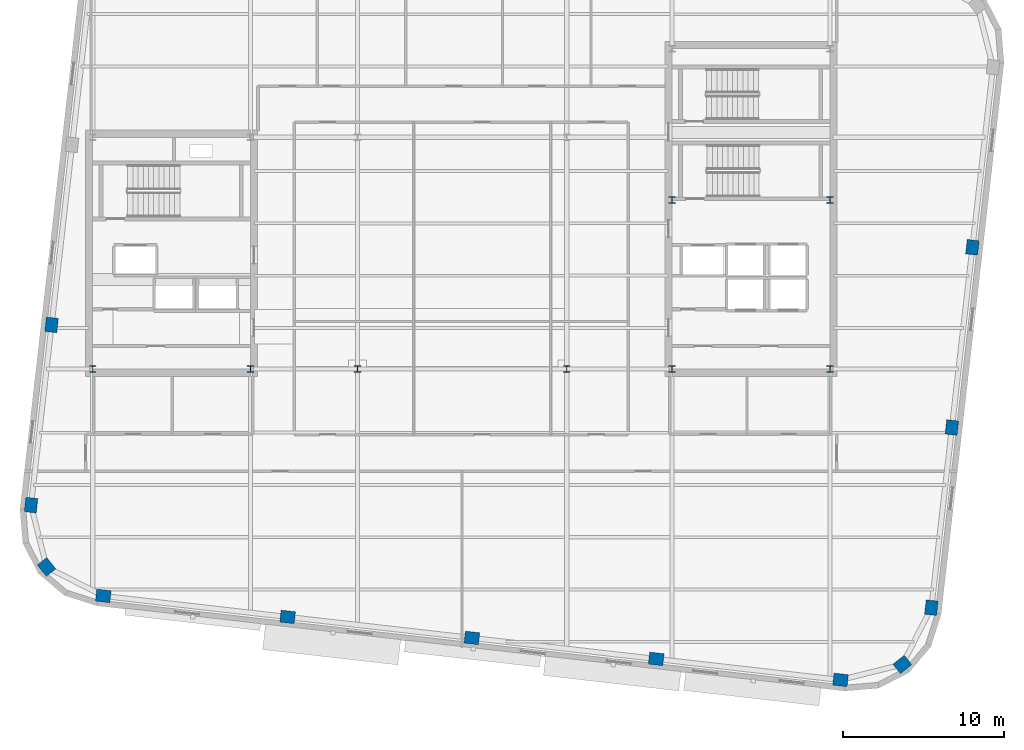
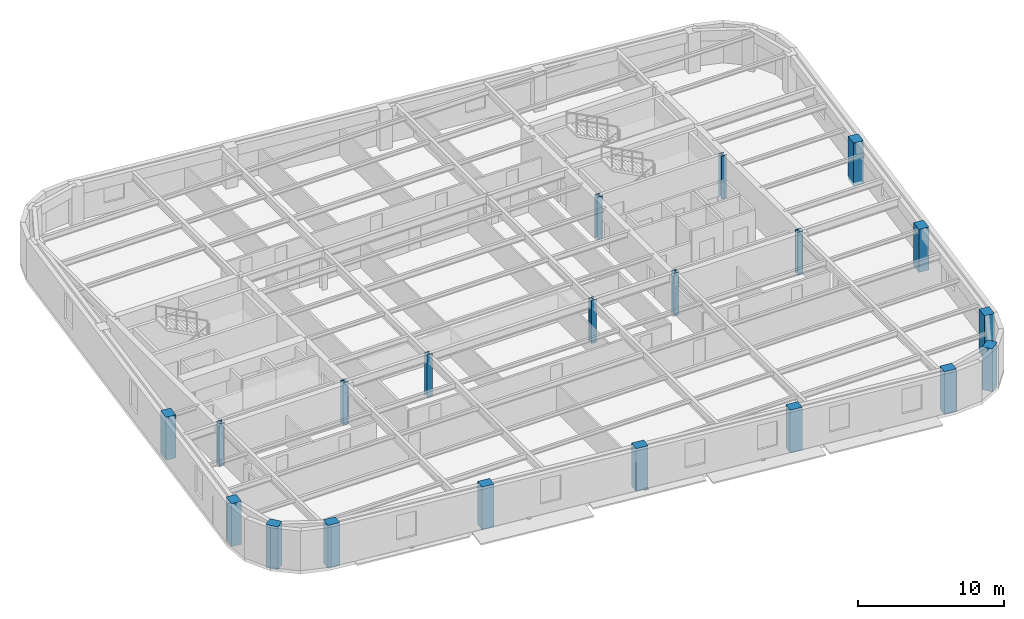
# One storey, part 1 of 13: 20 columns.
"""IFC4 building model written with IfcOpenShell, lengths in metres."""

import ifcopenshell
import ifcopenshell.guid

model = None  # the IFC model being written
_history = None  # IfcOwnerHistory: only IFC2X3 demands one
_inside = {}  # id of a spatial element -> (the spatial element, [elements in it])
_under = {}  # id of a project, library or spatial element -> (it, [spatial elements below it])
_declared = {}  # id of a project -> (the project, [libraries it declares])
_typed = {}  # id of a type object -> (the type object, [elements of that type])
_made_of = {}  # id of a material, layer set ... -> (it, [elements and type objects made of it])


def new_model(schema):
    """Start an empty IFC model of exactly this schema.

    Asked for "IFC4X3", IfcOpenShell would pick the latest addendum, in which some entities
    have other attributes; the version numbers below select the first issue.
    IFC2X3 requires an IfcOwnerHistory on every rooted entity: one is made here for all.
    """
    global model, _history
    if schema == "IFC4X3":
        model = ifcopenshell.file(schema_version=(4, 3, 0, 0))
    else:
        model = ifcopenshell.file(schema=schema)
    _inside.clear()
    _under.clear()
    _declared.clear()
    _typed.clear()
    _made_of.clear()
    _history = None
    if model.schema == "IFC2X3":
        org = make("IfcOrganization", Name="unknown")
        user = make(
            "IfcPersonAndOrganization",
            ThePerson=make("IfcPerson", FamilyName="unknown"),
            TheOrganization=org,
        )
        app = make(
            "IfcApplication",
            ApplicationDeveloper=org,
            Version="unknown",
            ApplicationFullName="unknown",
            ApplicationIdentifier="unknown",
        )
        _history = make(
            "IfcOwnerHistory",
            OwningUser=user,
            OwningApplication=app,
            ChangeAction="ADDED",
            CreationDate=0,
        )
    return model


def make(cls, **values):
    """One entity of the class cls with the attributes given. An attribute that is None is left unset."""
    return model.create_entity(
        cls, **{name: value for name, value in values.items() if value is not None}
    )


def rooted(cls, **values):
    """An entity with a GlobalId (a new one), such as an element, a storey or a relation."""
    return make(cls, GlobalId=ifcopenshell.guid.new(), OwnerHistory=_history, **values)


def si_unit(unit_type, name, prefix=None):
    """IfcSIUnit, for example si_unit("LENGTHUNIT", "METRE", prefix="MILLI")."""
    return make("IfcSIUnit", UnitType=unit_type, Prefix=prefix, Name=name)


def assignment(units):
    """IfcUnitAssignment: the units of a project."""
    return None if units is None else make("IfcUnitAssignment", Units=units)


def point(xyz):
    """IfcCartesianPoint."""
    return None if xyz is None else make("IfcCartesianPoint", Coordinates=xyz)


def direction(xyz):
    """IfcDirection."""
    return None if xyz is None else make("IfcDirection", DirectionRatios=xyz)


def frame(location, z_axis=None, x_axis=None):
    """IfcAxis2Placement3D, a coordinate frame: its origin and axes. An axis left out is left unset."""
    return make(
        "IfcAxis2Placement3D",
        Location=point(location),
        Axis=direction(z_axis),
        RefDirection=direction(x_axis),
    )


def frame_2d(location, x_axis=None):
    """IfcAxis2Placement2D, a coordinate frame in the plane: its origin and x axis."""
    return make(
        "IfcAxis2Placement2D", Location=point(location), RefDirection=direction(x_axis)
    )


def origin():
    """The frame at (0, 0, 0) with its axes left unset."""
    return frame((0.0, 0.0, 0.0))


def origin_2d():
    """The frame at (0, 0) in the plane with its x axis left unset."""
    return frame_2d((0.0, 0.0))


def place(relative_to, where):
    """IfcLocalPlacement: puts the frame where relative to a parent placement (None: the world)."""
    return make(
        "IfcLocalPlacement", PlacementRelTo=relative_to, RelativePlacement=where
    )


def context(
    kind, dimensions, precision=None, world=None, true_north=None, identifier=None
):
    """IfcGeometricRepresentationContext, for example the 3D "Model" context."""
    return make(
        "IfcGeometricRepresentationContext",
        ContextIdentifier=identifier,
        ContextType=kind,
        CoordinateSpaceDimension=dimensions,
        Precision=precision,
        WorldCoordinateSystem=world,
        TrueNorth=true_north,
    )


def subcontext(parent, identifier, kind, view, scale=None):
    """IfcGeometricRepresentationSubContext, for example "Body" below "Model"."""
    return make(
        "IfcGeometricRepresentationSubContext",
        ContextIdentifier=identifier,
        ContextType=kind,
        ParentContext=parent,
        TargetScale=scale,
        TargetView=view,
    )


def project(units=None, contexts=None):
    """IfcProject with its units and contexts."""
    return rooted(
        "IfcProject",
        Name="project",
        RepresentationContexts=contexts,
        UnitsInContext=assignment(units),
    )


def spatial(cls, under=None, at=None, **own):
    """A site, building, storey or space (cls), placed at a placement, below another one or the project."""
    s = rooted(cls, ObjectPlacement=at, **own)
    if under is not None:
        _under.setdefault(under.id(), (under, []))[1].append(s)
    return s


def profile(cls, at=None, kind="AREA", **sizes):
    """A parametric profile (cls). Its sizes go by their IFC names, for example OverallWidth=200.0."""
    return make(cls, ProfileType=kind, Position=at, **sizes)


def rectangle(**sizes):
    """IfcRectangleProfileDef."""
    return profile("IfcRectangleProfileDef", **sizes)


def i_section(**sizes):
    """IfcIShapeProfileDef."""
    return profile("IfcIShapeProfileDef", **sizes)


def extrude(swept, where, along, depth):
    """IfcExtrudedAreaSolid: the profile swept, set in the frame where, extruded along a direction by depth."""
    return make(
        "IfcExtrudedAreaSolid",
        SweptArea=swept,
        Position=where,
        ExtrudedDirection=direction(along),
        Depth=depth,
    )


def shape(context_of_items, identifier, shape_type, items):
    """IfcShapeRepresentation: the items that make up one representation, for example the "Body"."""
    return make(
        "IfcShapeRepresentation",
        ContextOfItems=context_of_items,
        RepresentationIdentifier=identifier,
        RepresentationType=shape_type,
        Items=items,
    )


def material(Name=None, Category=None):
    """IfcMaterial."""
    return make("IfcMaterial", Name=Name, Category=Category)


def material_profile(
    of_material, cross_section, Name=None, Category=None, Priority=None
):
    """IfcMaterialProfile: a cross section and its material."""
    return make(
        "IfcMaterialProfile",
        Name=Name,
        Material=of_material,
        Profile=cross_section,
        Priority=Priority,
        Category=Category,
    )


def profile_set(profiles, Name=None, composite=None):
    """IfcMaterialProfileSet."""
    return make(
        "IfcMaterialProfileSet",
        Name=Name,
        MaterialProfiles=profiles,
        CompositeProfile=composite,
    )


def made_of(thing, what):
    """Note that an element or type object is made of a material, layer set ...; save() writes the relation."""
    if what is not None:
        _made_of.setdefault(what.id(), (what, []))[1].append(thing)
    return thing


def type_object(cls, material=None, **own):
    """A type object (cls), such as IfcWallType, which elements share."""
    return made_of(rooted(cls, **own), material)


def element(
    cls,
    number,
    at=None,
    inside=None,
    cuts=None,
    type_object=None,
    material=None,
    context=None,
    identifier="Body",
    shape_type=None,
    held_by="IfcProductDefinitionShape",
    body=None,
    shapes=None,
    **own,
):
    """One element of the class cls, such as IfcWall. Its Tag is "e" and its number.

    at: its placement. inside: the storey or other place that contains it. cuts: it is an
    opening in that element (IfcRelVoidsElement). A single representation is given by context,
    identifier, shape_type and body (its items); several are given by shapes. held_by: the class
    of the entity that holds the representations. save() writes the other relations.
    """
    e = rooted(cls, Tag="e%d" % number, ObjectPlacement=at, **own)
    if body is not None:
        shapes = [shape(context, identifier, shape_type, body)]
    if shapes is not None:
        e.Representation = make(held_by, Representations=shapes)
    if inside is not None:
        _inside.setdefault(inside.id(), (inside, []))[1].append(e)
    if cuts is not None:
        rooted(
            "IfcRelVoidsElement", RelatingBuildingElement=cuts, RelatedOpeningElement=e
        )
    if type_object is not None:
        _typed.setdefault(type_object.id(), (type_object, []))[1].append(e)
    return made_of(e, material)


def aggregate(whole, parts):
    """IfcRelAggregates: a whole, such as a stair, and the parts it consists of."""
    return rooted("IfcRelAggregates", RelatingObject=whole, RelatedObjects=parts)


def save(model, path):
    """Write the relations noted so far, then the file.

    IfcRelAggregates (storeys below a building ...), IfcRelContainedInSpatialStructure (elements
    in a storey), IfcRelDefinesByType, IfcRelAssociatesMaterial and IfcRelDeclares: one each for
    every whole, place, type object, material and project.
    """
    for whole, parts in _under.values():
        aggregate(whole, parts)
    for where, things in _inside.values():
        rooted(
            "IfcRelContainedInSpatialStructure",
            RelatedElements=things,
            RelatingStructure=where,
        )
    for kind, things in _typed.values():
        rooted("IfcRelDefinesByType", RelatedObjects=things, RelatingType=kind)
    for what, things in _made_of.values():
        rooted("IfcRelAssociatesMaterial", RelatedObjects=things, RelatingMaterial=what)
    for by, libraries in _declared.values():
        rooted("IfcRelDeclares", RelatingContext=by, RelatedDefinitions=libraries)
    model.write(path)


model = new_model("IFC4")

# Units and contexts
model_context = context("Model", 3, precision=1e-05, world=origin(), true_north=direction((0.0, 1.0)))
body_context = subcontext(model_context, "Body", "Model", "MODEL_VIEW")
ifc_project = project(units=[si_unit("LENGTHUNIT", "METRE"), si_unit("AREAUNIT", "SQUARE_METRE"), si_unit("VOLUMEUNIT", "CUBIC_METRE"), si_unit("PLANEANGLEUNIT", "RADIAN"), si_unit("MASSUNIT", "GRAM", prefix="KILO")], contexts=[model_context])

# Site, building, storey
site_placement = place(None, origin())
site = spatial("IfcSite", under=ifc_project, at=site_placement, CompositionType="ELEMENT")
building_placement = place(site_placement, origin())
building = spatial("IfcBuilding", under=site, at=building_placement, Name="Kolvaren Arena Tower", CompositionType="ELEMENT")
storey_placement = place(building_placement, frame((0.0, 0.0, 265.949951171875)))
storey = spatial("IfcBuildingStorey", under=building, at=storey_placement, Name="L65", CompositionType="ELEMENT", Elevation=265.949951171875)

# Columns
ifc_material_1 = material(Name="Precast concrete C55/67", Category="concrete")
ifc_material_profile_1 = material_profile(ifc_material_1, rectangle(XDim=0.89990234375, YDim=0.75, at=origin_2d()), Name="RC-900x750")
ifc_profile_set_1 = profile_set([ifc_material_profile_1], Name="Precast concrete C55/67")
column_type_1 = type_object("IfcColumnType", Name="EXCOL-Z4", PredefinedType="COLUMN", material=ifc_profile_set_1)
for number, where, z_axis, x_axis, name in (
    (1, (15.207763671875, 5.350830078125, -0.27001953125), (0.0, 0.0, 1.0), (0.993571855677, -0.113203213768, 0.0), "Exoskeleton Perimeter Column 01 (L65)"),
    (2, (26.65869140625, 4.046142578125, -0.27001953125), (0.0, 0.0, 1.0), (0.993571855677, -0.113203213768, 0.0), "Exoskeleton Perimeter Column 02 (L65)"),
    (3, (38.109619140625, 2.741455078125, -0.27001953125), (0.0, 0.0, 1.0), (0.993571855677, -0.113203213768, 0.0), "Exoskeleton Perimeter Column 03 (L65)"),
    (4, (49.560302734375, 1.436767578125, -0.27001953125), (0.0, 0.0, 1.0), (0.993571855677, -0.113203213768, 0.0), "Exoskeleton Perimeter Column 04 (L65)"),
    (5, (61.011474609375, 0.132080078125, -0.27001953125), (0.0, 0.0, 1.0), (0.993571855677, -0.113203213768, 0.0), "Exoskeleton Perimeter Column 05 (L65)"),
    (6, (64.853759765625, 1.094482421875, -0.27001953125), (0.0, 0.0, 1.0), (0.782608156852, 0.622514636638, 0.0), "Exoskeleton Perimeter Column 06 (L65)"),
    (7, (66.656005859375, 4.6220703125, -0.27001953125), (0.0, 0.0, 1.0), (0.113203213768, 0.993571855677, 0.0), "Exoskeleton Perimeter Column 07 (L65)"),
    (8, (67.931396484375, 15.816162109375, -0.27001953125), (0.0, 0.0, 1.0), (0.113203213768, 0.993571855677, 0.0), "Exoskeleton Perimeter Column 08 (L65)"),
    (9, (69.206787109375, 27.010498046875, -0.27001953125), (0.0, 0.0, 1.0), (0.113203213768, 0.993571855677, 0.0), "Exoskeleton Perimeter Column 09 (L65)"),
    (10, (11.9931640625, 22.189453125, -0.27001953125), (0.0, 0.0, 1.0), (0.113203213768, 0.993571855677, 0.0), "Exoskeleton Perimeter Column 20 (L65)"),
    (11, (10.7177734375, 10.995361328125, -0.27001953125), (0.0, 0.0, 1.0), (0.113203213768, 0.993571855677, 0.0), "Exoskeleton Perimeter Column 21 (L65)"),
    (12, (11.680419921875, 7.15283203125, -0.27001953125), (0.0, 0.0, 1.0), (-0.622514636638, 0.782608156852, 0.0), "Exoskeleton Perimeter Column 22 (L65)"),
):
    element("IfcColumn", number, at=place(storey_placement, frame(where, z_axis=z_axis, x_axis=x_axis)), inside=storey, type_object=column_type_1, Name=name, PredefinedType="COLUMN", context=body_context, shape_type="SweptSolid", body=[
        extrude(rectangle(XDim=0.89990234375, YDim=0.75, at=origin_2d()), origin(), (0.0, 0.0, 1.0), 3.60009765625),
    ])
ifc_material_2 = material(Name="Steel ASTM A913 Grade 65", Category="steel")
ifc_material_profile_2 = material_profile(ifc_material_2, i_section(OverallWidth=0.39892578125, OverallDepth=0.39306640625, WebThickness=0.022705078125, FlangeThickness=0.03662109375, FilletRadius=0.02001953125, at=origin_2d()), Name="W360x287")
ifc_profile_set_2 = profile_set([ifc_material_profile_2], Name="Steel ASTM A913 Grade 65")
column_type_2 = type_object("IfcColumnType", Name="SCOL-Z4", PredefinedType="COLUMN", material=ifc_profile_set_2)
for number, where, z_axis, x_axis, name in (
    (13, (14.550048828125, 19.449951171875, -0.27001953125), (0.0, 0.0, 1.0), (1.0, 0.0, 0.0), "Core Boundary Column WC-SW (L65)"),
    (14, (24.35009765625, 19.449951171875, -0.27001953125), (0.0, 0.0, 1.0), (1.0, 0.0, 0.0), "Core Boundary Column WC-SE (L65)"),
    (15, (50.550048828125, 19.449951171875, -0.27001953125), (0.0, 0.0, 1.0), (1.0, 0.0, 0.0), "Core Boundary Column EC-SW (L65)"),
    (16, (60.35009765625, 19.449951171875, -0.27001953125), (0.0, 0.0, 1.0), (1.0, 0.0, 0.0), "Core Boundary Column EC-SE (L65)"),
    (17, (50.550048828125, 29.949951171875, -0.27001953125), (0.0, 0.0, 1.0), (1.0, 0.0, 0.0), "Core Boundary Column EC-MW (L65)"),
    (18, (60.35009765625, 29.949951171875, -0.27001953125), (0.0, 0.0, 1.0), (1.0, 0.0, 0.0), "Core Boundary Column EC-ME (L65)"),
    (19, (31.0, 19.449951171875, -0.27001953125), (0.0, 0.0, 1.0), (1.0, 0.0, 0.0), "Interior Gravity Column TC-SW (L65)"),
    (20, (44.0, 19.449951171875, -0.27001953125), (0.0, 0.0, 1.0), (1.0, 0.0, 0.0), "Interior Gravity Column TC-SE (L65)"),
):
    element("IfcColumn", number, at=place(storey_placement, frame(where, z_axis=z_axis, x_axis=x_axis)), inside=storey, type_object=column_type_2, Name=name, PredefinedType="COLUMN", context=body_context, shape_type="SweptSolid", body=[
        extrude(i_section(OverallWidth=0.39892578125, OverallDepth=0.39306640625, WebThickness=0.022705078125, FlangeThickness=0.03662109375, FilletRadius=0.02001953125, at=origin_2d()), origin(), (0.0, 0.0, 1.0), 3.60009765625),
    ])

save(model, "model.ifc")
